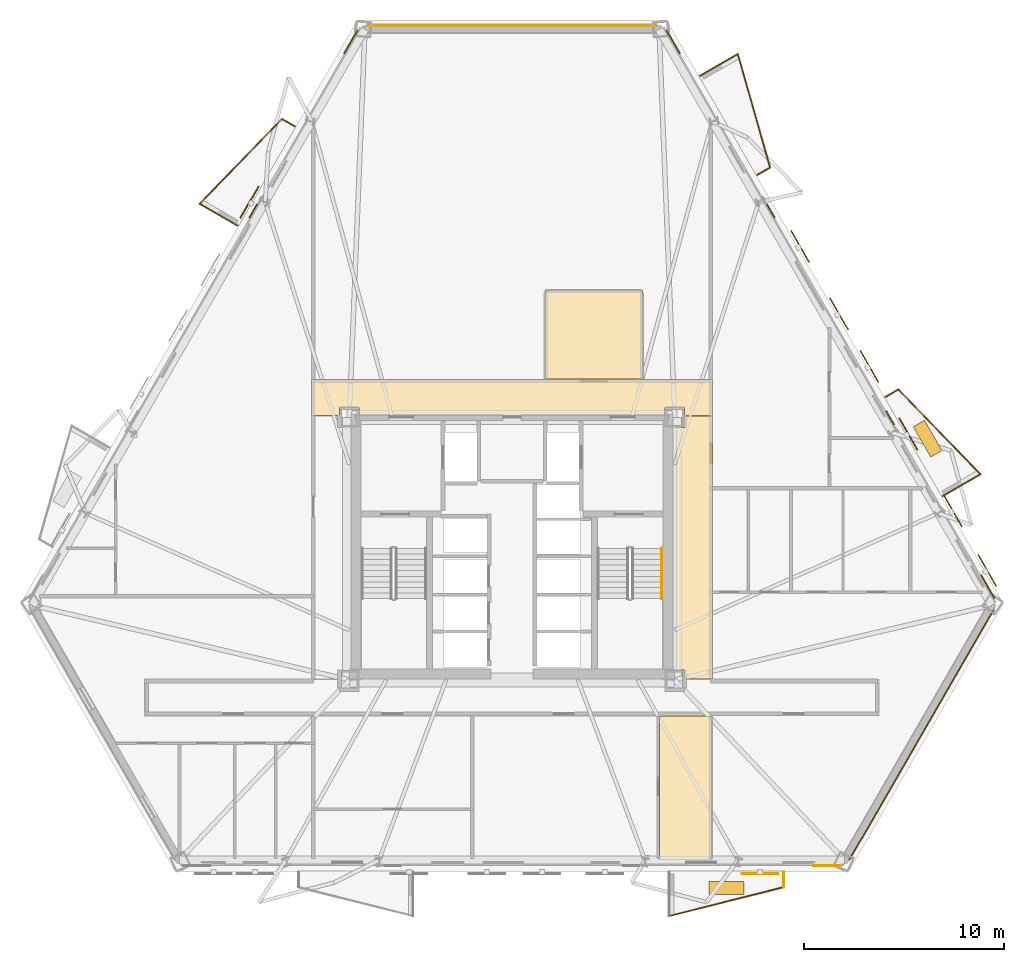
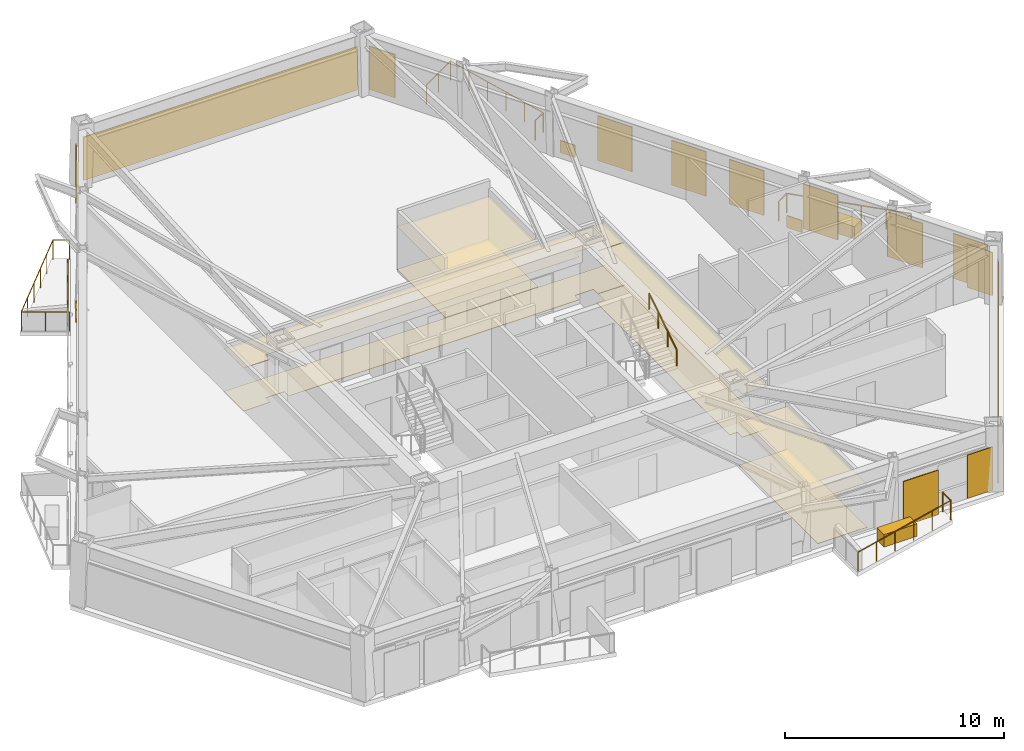
# One storey, part 12 of 12: 19 coverings, 12 railings, 8 shading devices.
"""IFC4 building model written with IfcOpenShell, lengths in metres."""

from ifc_helpers import new_model, si_unit, direction, frame, origin, origin_2d, place, context, subcontext, project, spatial, polyline, rectangle, circle, outline, extrude, material, layer, layer_set, type_object, element, save


model = new_model("IFC4")

# Units and contexts
model_context = context("Model", 3, precision=1e-05, world=origin(), true_north=direction((0.0, 1.0)))
body_context = subcontext(model_context, "Body", "Model", "MODEL_VIEW")
ifc_project = project(units=[si_unit("LENGTHUNIT", "METRE"), si_unit("AREAUNIT", "SQUARE_METRE"), si_unit("VOLUMEUNIT", "CUBIC_METRE"), si_unit("PLANEANGLEUNIT", "RADIAN"), si_unit("MASSUNIT", "GRAM", prefix="KILO")], contexts=[model_context])

# Site, building, storey
site_placement = place(None, origin())
site = spatial("IfcSite", under=ifc_project, at=site_placement, CompositionType="ELEMENT")
building_placement = place(site_placement, origin())
building = spatial("IfcBuilding", under=site, at=building_placement, Name="Oramaril Tower", CompositionType="ELEMENT")
storey_placement = place(building_placement, frame((0.0, 0.0, 45.300048828125)))
storey = spatial("IfcBuildingStorey", under=building, at=storey_placement, Name="L11", CompositionType="ELEMENT", Elevation=45.300048828125)

# Coverings
ifc_material_1 = material(Name="Mineral Fibre Acoustic Ceiling")
ifc_layer_1 = layer(ifc_material_1, 0.02001953125)
ifc_layer_set_1 = layer_set([ifc_layer_1], Name="CVT-CEIL")
covering_type_1 = type_object("IfcCoveringType", Name="CVT-CEIL", PredefinedType="CEILING", material=ifc_layer_set_1)
covering_1_placement = place(storey_placement, frame((0.0, 0.0, 2.39990234375)))
element("IfcCovering", 1, at=covering_1_placement, inside=storey, type_object=covering_type_1, Name="L11 Acoustic Suspended Ceiling 2", PredefinedType="CEILING", context=body_context, shape_type="SweptSolid", body=[
    extrude(outline(polyline([(47.530029296875, 24.239990234375), (46.14501953125, 24.239990234375), (46.14501953125, 24.64501953125), (45.155029296875, 24.64501953125), (45.155029296875, 24.25), (29.844970703125, 24.25), (29.844970703125, 24.64501953125), (28.85498046875, 24.64501953125), (28.85498046875, 24.239990234375), (27.469970703125, 24.239990234375), (27.469970703125, 26.050048828125), (47.530029296875, 26.050048828125), (47.530029296875, 24.239990234375)])), origin(), (0.0, 0.0, 1.0), 0.02001953125),
])
covering_2_placement = place(storey_placement, frame((0.0, 0.0, 2.39990234375)))
element("IfcCovering", 2, at=covering_2_placement, inside=storey, type_object=covering_type_1, Name="L11 Acoustic Suspended Ceiling 4", PredefinedType="CEILING", context=body_context, shape_type="SweptSolid", body=[
    extrude(outline(polyline([(47.530029296875, 11.050048828125), (46.14501953125, 11.050048828125), (46.14501953125, 11.4951171875), (45.719970703125, 11.4951171875), (45.719970703125, 23.655029296875), (46.14501953125, 23.655029296875), (46.14501953125, 24.219970703125), (47.530029296875, 24.219970703125), (47.530029296875, 11.050048828125)])), origin(), (0.0, 0.0, 1.0), 0.02001953125),
])
covering_3_placement = place(storey_placement, frame((0.0, 0.0, 2.39990234375)))
element("IfcCovering", 3, at=covering_3_placement, inside=storey, type_object=covering_type_1, Name="L11 Acoustic Suspended Ceiling 5", PredefinedType="CEILING", context=body_context, shape_type="SweptSolid", body=[
    extrude(outline(polyline([(44.0419921875, 30.511962890625), (44.0419921875, 26.070068359375), (39.157958984375, 26.070068359375), (39.157958984375, 30.511962890625), (44.0419921875, 30.511962890625)])), origin(), (0.0, 0.0, 1.0), 0.02001953125),
])
covering_4_placement = place(storey_placement, frame((0.0, 0.0, 2.39990234375)))
element("IfcCovering", 4, at=covering_4_placement, inside=storey, type_object=covering_type_1, Name="L11 Acoustic Suspended Ceiling 9", PredefinedType="CEILING", context=body_context, shape_type="SweptSolid", body=[
    extrude(outline(polyline([(47.491943359375, 1.98583984375), (44.883056640625, 1.98583984375), (44.883056640625, 9.199951171875), (47.491943359375, 9.199951171875), (47.491943359375, 1.98583984375)])), origin(), (0.0, 0.0, 1.0), 0.02001953125),
])
ifc_material_2 = material(Name="Warm Cream Limestone", Category="masonry")
ifc_layer_2 = layer(ifc_material_2, 0.050048828125)
ifc_layer_set_2 = layer_set([ifc_layer_2], Name="CVT-CLD")
covering_type_2 = type_object("IfcCoveringType", Name="CVT-CLD", PredefinedType="CLADDING", material=ifc_layer_set_2)
covering_5_placement = place(storey_placement, frame((53.257080078125, 1.684814453125, 0.0400390625), z_axis=(0.0, 0.0, 1.0), x_axis=(1.0, 0.0, 0.0)))
element("IfcCovering", 5, at=covering_5_placement, inside=storey, type_object=covering_type_2, Name="L11 Warm Cream Limestone Cladding", PredefinedType="CLADDING", context=body_context, shape_type="SweptSolid", body=[
    extrude(rectangle(XDim=1.35009765625, YDim=0.050048828125, at=origin_2d()), origin(), (0.0, 0.0, 1.0), 2.4140625),
])
covering_6_placement = place(storey_placement, frame((58.012939453125, 8.2568359375, 0.0400390625), z_axis=(0.0, 0.0, 1.0), x_axis=(0.499995465495, 0.866028021766, 0.0)))
element("IfcCovering", 6, at=covering_6_placement, inside=storey, type_object=covering_type_2, Name="L11 Warm Cream Limestone Cladding", PredefinedType="CLADDING", context=body_context, shape_type="SweptSolid", body=[
    extrude(rectangle(XDim=14.45458984375, YDim=0.050048828125, at=origin_2d()), origin(), (0.0, 0.0, 1.0), 2.4140625),
])
for number, where, z_axis, x_axis, name in (
    (7, (61.326416015625, 15.66162109375, 0.0400390625), (0.0, 0.0, 1.0), (-0.500001511499, 0.866024531118, 0.0), "L11 Warm Cream Limestone Cladding"),
    (8, (45.5693359375, 42.95361328125, 0.0400390625), (0.0, 0.0, 1.0), (-0.500001511499, 0.866024531118, 0.0), "L11 Warm Cream Limestone Cladding"),
):
    element("IfcCovering", number, at=place(storey_placement, frame(where, z_axis=z_axis, x_axis=x_axis)), inside=storey, type_object=covering_type_2, Name=name, PredefinedType="CLADDING", context=body_context, shape_type="SweptSolid", body=[
        extrude(rectangle(XDim=1.35009765625, YDim=0.050048828125, at=origin_2d()), origin(), (0.0, 0.0, 1.0), 2.4140625),
    ])
for number, where, z_axis, x_axis, name in (
    (9, (56.437255859375, 24.1298828125, 0.0400390625), (0.0, 0.0, 1.0), (-0.500001511499, 0.866024531118, 0.0), "L11 Warm Cream Limestone Spandrel Cladding"),
    (10, (50.458740234375, 34.485107421875, 0.0400390625), (0.0, 0.0, 1.0), (-0.500001511499, 0.866024531118, 0.0), "L11 Warm Cream Limestone Spandrel Cladding"),
):
    element("IfcCovering", number, at=place(storey_placement, frame(where, z_axis=z_axis, x_axis=x_axis)), inside=storey, type_object=covering_type_2, Name=name, PredefinedType="CLADDING", context=body_context, shape_type="SweptSolid", body=[
        extrude(rectangle(XDim=0.800048828125, YDim=0.050048828125, at=origin_2d()), origin(), (0.0, 0.0, 1.0), 0.679931640625),
    ])
covering_7_placement = place(storey_placement, frame((37.5, 43.7861328125, 0.0400390625), z_axis=(0.0, 0.0, 1.0), x_axis=(-1.0, 0.0, 0.0)))
element("IfcCovering", 11, at=covering_7_placement, inside=storey, type_object=covering_type_2, Name="L11 Warm Cream Limestone Cladding", PredefinedType="CLADDING", context=body_context, shape_type="SweptSolid", body=[
    extrude(rectangle(XDim=14.45458984375, YDim=0.050048828125, at=origin_2d()), origin(), (0.0, 0.0, 1.0), 2.4140625),
])
covering_8_placement = place(storey_placement, frame((29.4306640625, 42.95361328125, 0.0400390625), z_axis=(0.0, 0.0, 1.0), x_axis=(-0.500001511499, -0.866024531118, 0.0)))
element("IfcCovering", 12, at=covering_8_placement, inside=storey, type_object=covering_type_2, Name="L11 Warm Cream Limestone Cladding", PredefinedType="CLADDING", context=body_context, shape_type="SweptSolid", body=[
    extrude(rectangle(XDim=1.35009765625, YDim=0.050048828125, at=origin_2d()), origin(), (0.0, 0.0, 1.0), 2.4140625),
])
covering_9_placement = place(storey_placement, frame((24.541259765625, 34.485107421875, 0.0400390625), z_axis=(0.0, 0.0, 1.0), x_axis=(-0.500001511499, -0.866024531118, 0.0)))
element("IfcCovering", 13, at=covering_9_placement, inside=storey, type_object=covering_type_2, Name="L11 Warm Cream Limestone Spandrel Cladding", PredefinedType="CLADDING", context=body_context, shape_type="SweptSolid", body=[
    extrude(rectangle(XDim=0.800048828125, YDim=0.050048828125, at=origin_2d()), origin(), (0.0, 0.0, 1.0), 0.679931640625),
])
for number, where, z_axis, x_axis, name in (
    (14, (48.247802734375, 0.581298828125, 0.0), (0.0, 0.0, 1.0), (1.0, 0.0, 0.0), "L11 Structural Tree Planter Box L11-BAL-S2"),
    (15, (58.315185546875, 23.084716796875, 0.0), (0.0, 0.0, 1.0), (-0.500001511499, 0.866024531118, 0.0), "L11 Structural Tree Planter Box L11-BAL-NE1"),
):
    element("IfcCovering", number, at=place(storey_placement, frame(where, z_axis=z_axis, x_axis=x_axis)), inside=storey, type_object=covering_type_2, Name=name, PredefinedType="CLADDING", context=body_context, shape_type="SweptSolid", body=[
        extrude(rectangle(XDim=1.75, YDim=0.64990234375, at=origin_2d()), origin(), (0.0, 0.0, 1.0), 0.699951171875),
    ])
ifc_material_3 = material(Name="Honed Quartzite Stone Flooring", Category="masonry")
ifc_layer_3 = layer(ifc_material_3, 0.02490234375)
ifc_layer_set_3 = layer_set([ifc_layer_3], Name="CVT-FLR")
covering_type_3 = type_object("IfcCoveringType", Name="CVT-FLR", PredefinedType="FLOORING", material=ifc_layer_set_3)
covering_10_placement = place(storey_placement, origin())
element("IfcCovering", 16, at=covering_10_placement, inside=storey, type_object=covering_type_3, Name="L11 Honed Stone Floor Finish 2", PredefinedType="FLOORING", context=body_context, shape_type="SweptSolid", body=[
    extrude(outline(polyline([(47.530029296875, 24.239990234375), (46.14501953125, 24.239990234375), (46.14501953125, 24.64501953125), (45.155029296875, 24.64501953125), (45.155029296875, 24.25), (29.844970703125, 24.25), (29.844970703125, 24.64501953125), (28.85498046875, 24.64501953125), (28.85498046875, 24.239990234375), (27.469970703125, 24.239990234375), (27.469970703125, 26.050048828125), (47.530029296875, 26.050048828125), (47.530029296875, 24.239990234375)])), origin(), (0.0, 0.0, 1.0), 0.02490234375),
])
covering_11_placement = place(storey_placement, origin())
element("IfcCovering", 17, at=covering_11_placement, inside=storey, type_object=covering_type_3, Name="L11 Honed Stone Floor Finish 4", PredefinedType="FLOORING", context=body_context, shape_type="SweptSolid", body=[
    extrude(outline(polyline([(47.530029296875, 11.050048828125), (46.14501953125, 11.050048828125), (46.14501953125, 11.4951171875), (45.719970703125, 11.4951171875), (45.719970703125, 23.655029296875), (46.14501953125, 23.655029296875), (46.14501953125, 24.219970703125), (47.530029296875, 24.219970703125), (47.530029296875, 11.050048828125)])), origin(), (0.0, 0.0, 1.0), 0.02490234375),
])
covering_12_placement = place(storey_placement, origin())
element("IfcCovering", 18, at=covering_12_placement, inside=storey, type_object=covering_type_3, Name="L11 Honed Stone Floor Finish 5", PredefinedType="FLOORING", context=body_context, shape_type="SweptSolid", body=[
    extrude(outline(polyline([(44.0419921875, 30.511962890625), (44.0419921875, 26.070068359375), (39.157958984375, 26.070068359375), (39.157958984375, 30.511962890625), (44.0419921875, 30.511962890625)])), origin(), (0.0, 0.0, 1.0), 0.02490234375),
])
covering_13_placement = place(storey_placement, origin())
element("IfcCovering", 19, at=covering_13_placement, inside=storey, type_object=covering_type_3, Name="L11 Honed Stone Floor Finish 9", PredefinedType="FLOORING", context=body_context, shape_type="SweptSolid", body=[
    extrude(outline(polyline([(47.491943359375, 1.98583984375), (44.883056640625, 1.98583984375), (44.883056640625, 9.199951171875), (47.491943359375, 9.199951171875), (47.491943359375, 1.98583984375)])), origin(), (0.0, 0.0, 1.0), 0.02490234375),
])

# Railings
ifc_material_4 = material(Name="Stainless Steel 316L", Category="steel")
railing_type_1 = type_object("IfcRailingType", Name="RLT-GRD", PredefinedType="GUARDRAIL", material=ifc_material_4)
railing_1_placement = place(storey_placement, frame((51.11279296875, 1.369873046875, 0.0)))
element("IfcRailing", 20, at=railing_1_placement, inside=storey, type_object=railing_type_1, Name="L11 Balcony Guardrail L11-BAL-S2.1", PredefinedType="GUARDRAIL", context=body_context, shape_type="SweptSolid", body=[
    extrude(circle(Radius=0.02392578125, at=origin_2d()), frame((0.0, 0.0, 1.076171875), z_axis=(0.0, -1.0, 0.0), x_axis=(1.0, 0.0, 0.0)), (0.0, 0.0, 1.0), 0.7421875),
    extrude(circle(Radius=0.02099609375, at=origin_2d()), origin(), (0.0, 0.0, 1.0), 1.052001953125),
    extrude(circle(Radius=0.02099609375, at=origin_2d()), frame((0.0, -0.7421875, 0.0)), (0.0, 0.0, 1.0), 1.052001953125),
])
railing_2_placement = place(storey_placement, frame((51.11279296875, 0.627685546875, 0.0)))
element("IfcRailing", 21, at=railing_2_placement, inside=storey, type_object=railing_type_1, Name="L11 Balcony Guardrail L11-BAL-S2.2", PredefinedType="GUARDRAIL", context=body_context, shape_type="SweptSolid", body=[
    extrude(circle(Radius=0.02392578125, at=origin_2d()), frame((0.0, 0.0, 1.076171875), z_axis=(-0.969443611257, -0.245314256807, 0.0), x_axis=(0.245314256807, -0.969443611257, 0.0)), (0.0, 0.0, 1.0), 5.91064453125),
    extrude(circle(Radius=0.02099609375, at=origin_2d()), origin(), (0.0, 0.0, 1.0), 1.052001953125),
    extrude(circle(Radius=0.02099609375, at=origin_2d()), frame((-1.14599609375, -0.2900390625, 0.0)), (0.0, 0.0, 1.0), 1.052001953125),
    extrude(circle(Radius=0.02099609375, at=origin_2d()), frame((-2.2919921875, -0.580078125, 0.0)), (0.0, 0.0, 1.0), 1.052001953125),
    extrude(circle(Radius=0.02099609375, at=origin_2d()), frame((-3.43798828125, -0.869873046875, 0.0)), (0.0, 0.0, 1.0), 1.052001953125),
    extrude(circle(Radius=0.02099609375, at=origin_2d()), frame((-4.583984375, -1.159912109375, 0.0)), (0.0, 0.0, 1.0), 1.052001953125),
    extrude(circle(Radius=0.02099609375, at=origin_2d()), frame((-5.72998046875, -1.449951171875, 0.0)), (0.0, 0.0, 1.0), 1.052001953125),
])
railing_3_placement = place(storey_placement, frame((56.19970703125, 25.171630859375, 0.0)))
element("IfcRailing", 22, at=railing_3_placement, inside=storey, type_object=railing_type_1, Name="L11 Balcony Guardrail L11-BAL-NE1.1", PredefinedType="GUARDRAIL", context=body_context, shape_type="SweptSolid", body=[
    extrude(circle(Radius=0.02392578125, at=origin_2d()), frame((0.0, 0.0, 1.076171875), z_axis=(0.866108878364, 0.499855389907, 0.0), x_axis=(-0.499855389907, 0.866108878364, 0.0)), (0.0, 0.0, 1.0), 0.741943359375),
    extrude(circle(Radius=0.02099609375, at=origin_2d()), origin(), (0.0, 0.0, 1.0), 1.052001953125),
    extrude(circle(Radius=0.02099609375, at=origin_2d()), frame((0.642578125, 0.370849609375, 0.0)), (0.0, 0.0, 1.0), 1.052001953125),
])
railing_4_placement = place(storey_placement, frame((56.84228515625, 25.54248046875, 0.0)))
element("IfcRailing", 23, at=railing_4_placement, inside=storey, type_object=railing_type_1, Name="L11 Balcony Guardrail L11-BAL-NE1.2", PredefinedType="GUARDRAIL", context=body_context, shape_type="SweptSolid", body=[
    extrude(circle(Radius=0.02392578125, at=origin_2d()), frame((0.0, 0.0, 1.076171875), z_axis=(0.697186331907, -0.716889962688, 0.0), x_axis=(0.716889962688, 0.697186331907, 0.0)), (0.0, 0.0, 1.0), 5.910400390625),
    extrude(circle(Radius=0.02099609375, at=origin_2d()), origin(), (0.0, 0.0, 1.0), 1.052001953125),
    extrude(circle(Radius=0.02099609375, at=origin_2d()), frame((0.82421875, -0.847412109375, 0.0)), (0.0, 0.0, 1.0), 1.052001953125),
    extrude(circle(Radius=0.02099609375, at=origin_2d()), frame((1.648193359375, -1.69482421875, 0.0)), (0.0, 0.0, 1.0), 1.052001953125),
    extrude(circle(Radius=0.02099609375, at=origin_2d()), frame((2.472412109375, -2.542236328125, 0.0)), (0.0, 0.0, 1.0), 1.052001953125),
    extrude(circle(Radius=0.02099609375, at=origin_2d()), frame((3.29638671875, -3.3896484375, 0.0)), (0.0, 0.0, 1.0), 1.052001953125),
    extrude(circle(Radius=0.02099609375, at=origin_2d()), frame((4.12060546875, -4.237060546875, 0.0)), (0.0, 0.0, 1.0), 1.052001953125),
])
railing_5_placement = place(storey_placement, frame((60.962890625, 21.305419921875, 0.0)))
element("IfcRailing", 24, at=railing_5_placement, inside=storey, type_object=railing_type_1, Name="L11 Balcony Guardrail L11-BAL-NE1.3", PredefinedType="GUARDRAIL", context=body_context, shape_type="SweptSolid", body=[
    extrude(circle(Radius=0.02392578125, at=origin_2d()), frame((0.0, 0.0, 1.076171875), z_axis=(-0.866020500697, -0.5000084923, 0.0), x_axis=(0.5000084923, -0.866020500697, 0.0)), (0.0, 0.0, 1.0), 2.19189453125),
    extrude(circle(Radius=0.02099609375, at=origin_2d()), origin(), (0.0, 0.0, 1.0), 1.052001953125),
    extrude(circle(Radius=0.02099609375, at=origin_2d()), frame((-0.94921875, -0.5478515625, 0.0)), (0.0, 0.0, 1.0), 1.052001953125),
    extrude(circle(Radius=0.02099609375, at=origin_2d()), frame((-1.898193359375, -1.095947265625, 0.0)), (0.0, 0.0, 1.0), 1.052001953125),
])
railing_6_placement = place(storey_placement, frame((46.91455078125, 41.25390625, 0.0)))
element("IfcRailing", 25, at=railing_6_placement, inside=storey, type_object=railing_type_1, Name="L11 Balcony Guardrail L11-BAL-NE2.1", PredefinedType="GUARDRAIL", context=body_context, shape_type="SweptSolid", body=[
    extrude(circle(Radius=0.02392578125, at=origin_2d()), frame((0.0, 0.0, 1.076171875), z_axis=(0.866020500697, 0.5000084923, 0.0), x_axis=(-0.5000084923, 0.866020500697, 0.0)), (0.0, 0.0, 1.0), 2.19189453125),
    extrude(circle(Radius=0.02099609375, at=origin_2d()), origin(), (0.0, 0.0, 1.0), 1.052001953125),
    extrude(circle(Radius=0.02099609375, at=origin_2d()), frame((0.94921875, 0.5478515625, 0.0)), (0.0, 0.0, 1.0), 1.052001953125),
    extrude(circle(Radius=0.02099609375, at=origin_2d()), frame((1.898193359375, 1.095947265625, 0.0)), (0.0, 0.0, 1.0), 1.052001953125),
])
railing_7_placement = place(storey_placement, frame((48.812744140625, 42.349853515625, 0.0)))
element("IfcRailing", 26, at=railing_7_placement, inside=storey, type_object=railing_type_1, Name="L11 Balcony Guardrail L11-BAL-NE2.2", PredefinedType="GUARDRAIL", context=body_context, shape_type="SweptSolid", body=[
    extrude(circle(Radius=0.02392578125, at=origin_2d()), frame((0.0, 0.0, 1.076171875), z_axis=(0.272287109361, -0.962216051662, 0.0), x_axis=(0.962216051662, 0.272287109361, 0.0)), (0.0, 0.0, 1.0), 5.91064453125),
    extrude(circle(Radius=0.02099609375, at=origin_2d()), origin(), (0.0, 0.0, 1.0), 1.052001953125),
    extrude(circle(Radius=0.02099609375, at=origin_2d()), frame((0.32177734375, -1.137451171875, 0.0)), (0.0, 0.0, 1.0), 1.052001953125),
    extrude(circle(Radius=0.02099609375, at=origin_2d()), frame((0.643798828125, -2.27490234375, 0.0)), (0.0, 0.0, 1.0), 1.052001953125),
    extrude(circle(Radius=0.02099609375, at=origin_2d()), frame((0.965576171875, -3.412353515625, 0.0)), (0.0, 0.0, 1.0), 1.052001953125),
    extrude(circle(Radius=0.02099609375, at=origin_2d()), frame((1.28759765625, -4.5498046875, 0.0)), (0.0, 0.0, 1.0), 1.052001953125),
    extrude(circle(Radius=0.02099609375, at=origin_2d()), frame((1.609375, -5.687255859375, 0.0)), (0.0, 0.0, 1.0), 1.052001953125),
])
railing_8_placement = place(storey_placement, frame((50.422119140625, 36.66259765625, 0.0)))
element("IfcRailing", 27, at=railing_8_placement, inside=storey, type_object=railing_type_1, Name="L11 Balcony Guardrail L11-BAL-NE2.3", PredefinedType="GUARDRAIL", context=body_context, shape_type="SweptSolid", body=[
    extrude(circle(Radius=0.02392578125, at=origin_2d()), frame((0.0, 0.0, 1.076171875), z_axis=(-0.866108878364, -0.499855389907, 0.0), x_axis=(0.499855389907, -0.866108878364, 0.0)), (0.0, 0.0, 1.0), 0.741943359375),
    extrude(circle(Radius=0.02099609375, at=origin_2d()), origin(), (0.0, 0.0, 1.0), 1.052001953125),
    extrude(circle(Radius=0.02099609375, at=origin_2d()), frame((-0.642578125, -0.370849609375, 0.0)), (0.0, 0.0, 1.0), 1.052001953125),
])
railing_9_placement = place(storey_placement, frame((23.758056640625, 33.758544921875, 0.0)))
element("IfcRailing", 28, at=railing_9_placement, inside=storey, type_object=railing_type_1, Name="L11 Balcony Guardrail L11-BAL-NW1.1", PredefinedType="GUARDRAIL", context=body_context, shape_type="SweptSolid", body=[
    extrude(circle(Radius=0.02392578125, at=origin_2d()), frame((0.0, 0.0, 1.076171875), z_axis=(-0.866048343933, 0.499960264392, 0.0), x_axis=(-0.499960264392, -0.866048343933, 0.0)), (0.0, 0.0, 1.0), 2.192138671875),
    extrude(circle(Radius=0.02099609375, at=origin_2d()), origin(), (0.0, 0.0, 1.0), 1.052001953125),
    extrude(circle(Radius=0.02099609375, at=origin_2d()), frame((-0.94921875, 0.5478515625, 0.0)), (0.0, 0.0, 1.0), 1.052001953125),
    extrude(circle(Radius=0.02099609375, at=origin_2d()), frame((-1.8984375, 1.095947265625, 0.0)), (0.0, 0.0, 1.0), 1.052001953125),
])
railing_10_placement = place(storey_placement, frame((21.859619140625, 34.8544921875, 0.0)))
element("IfcRailing", 29, at=railing_10_placement, inside=storey, type_object=railing_type_1, Name="L11 Balcony Guardrail L11-BAL-NW1.2", PredefinedType="GUARDRAIL", context=body_context, shape_type="SweptSolid", body=[
    extrude(circle(Radius=0.02392578125, at=origin_2d()), frame((0.0, 0.0, 1.076171875), z_axis=(0.697186915353, 0.716889395277, 0.0), x_axis=(-0.716889395277, 0.697186915353, 0.0)), (0.0, 0.0, 1.0), 5.91064453125),
    extrude(circle(Radius=0.02099609375, at=origin_2d()), origin(), (0.0, 0.0, 1.0), 1.052001953125),
    extrude(circle(Radius=0.02099609375, at=origin_2d()), frame((0.82421875, 0.847412109375, 0.0)), (0.0, 0.0, 1.0), 1.052001953125),
    extrude(circle(Radius=0.02099609375, at=origin_2d()), frame((1.6484375, 1.69482421875, 0.0)), (0.0, 0.0, 1.0), 1.052001953125),
    extrude(circle(Radius=0.02099609375, at=origin_2d()), frame((2.472412109375, 2.54248046875, 0.0)), (0.0, 0.0, 1.0), 1.052001953125),
    extrude(circle(Radius=0.02099609375, at=origin_2d()), frame((3.296630859375, 3.389892578125, 0.0)), (0.0, 0.0, 1.0), 1.052001953125),
    extrude(circle(Radius=0.02099609375, at=origin_2d()), frame((4.120849609375, 4.2373046875, 0.0)), (0.0, 0.0, 1.0), 1.052001953125),
])
railing_11_placement = place(storey_placement, frame((25.98046875, 39.091796875, 0.0)))
element("IfcRailing", 30, at=railing_11_placement, inside=storey, type_object=railing_type_1, Name="L11 Balcony Guardrail L11-BAL-NW1.3", PredefinedType="GUARDRAIL", context=body_context, shape_type="SweptSolid", body=[
    extrude(circle(Radius=0.02392578125, at=origin_2d()), frame((0.0, 0.0, 1.076171875), z_axis=(0.865966403178, -0.500102178127, 0.0), x_axis=(0.500102178127, 0.865966403178, 0.0)), (0.0, 0.0, 1.0), 0.741943359375),
    extrude(circle(Radius=0.02099609375, at=origin_2d()), origin(), (0.0, 0.0, 1.0), 1.052001953125),
    extrude(circle(Radius=0.02099609375, at=origin_2d()), frame((0.642578125, -0.37109375, 0.0)), (0.0, 0.0, 1.0), 1.052001953125),
])
ifc_material_5 = material(Name="Stainless Steel 316L", Category="steel")
railing_type_2 = type_object("IfcRailingType", Name="RLT-HND", PredefinedType="HANDRAIL", material=ifc_material_5)
railing_12_placement = place(storey_placement, frame((45.0, 15.070068359375, 1.97998046875)))
element("IfcRailing", 31, at=railing_12_placement, inside=storey, type_object=railing_type_2, Name="L11 ST-2 stair handrail 2", PredefinedType="HANDRAIL", context=body_context, shape_type="SweptSolid", body=[
    extrude(circle(Radius=0.02392578125, at=origin_2d()), frame((0.0, 0.0, 0.8759765625), z_axis=(0.0, 0.841199657755, 0.540724639528), x_axis=(-1.0, 0.0, 0.0)), (0.0, 0.0, 1.0), 2.995849609375),
    extrude(circle(Radius=0.02099609375, at=origin_2d()), origin(), (0.0, 0.0, 1.0), 0.851806640625),
    extrude(circle(Radius=0.02099609375, at=origin_2d()), frame((0.0, 0.840087890625, 0.5400390625)), (0.0, 0.0, 1.0), 0.851806640625),
    extrude(circle(Radius=0.02099609375, at=origin_2d()), frame((0.0, 1.679931640625, 1.079833984375)), (0.0, 0.0, 1.0), 0.851806640625),
    extrude(circle(Radius=0.02099609375, at=origin_2d()), frame((0.0, 2.52001953125, 1.619873046875)), (0.0, 0.0, 1.0), 0.851806640625),
])

# Shading devices
for number, where, z_axis, x_axis, name in (
    (32, (49.917236328125, 1.2978515625, -0.02001953125), (0.0, 0.0, 1.0), (1.0, 0.0, 0.0), "L11 Perforated Ceramic Solar Screen"),
    (33, (61.301025390625, 16.4794921875, -0.02001953125), (0.0, 0.0, 1.0), (-0.500001511499, 0.866024531118, 0.0), "L11 Perforated Ceramic Solar Screen"),
    (34, (59.58056640625, 19.459716796875, -0.02001953125), (0.0, 0.0, 1.0), (-0.500001511499, 0.866024531118, 0.0), "L11 Perforated Ceramic Solar Screen"),
    (35, (53.879150390625, 29.334716796875, -0.02001953125), (0.0, 0.0, 1.0), (-0.500001511499, 0.866024531118, 0.0), "L11 Perforated Ceramic Solar Screen"),
    (36, (51.92919921875, 32.712158203125, -0.02001953125), (0.0, 0.0, 1.0), (-0.500001511499, 0.866024531118, 0.0), "L11 Perforated Ceramic Solar Screen"),
    (37, (57.35009765625, 23.322998046875, -0.02001953125), (0.0, 0.0, 1.0), (-0.500001511499, 0.866024531118, 0.0), "L11 Perforated Ceramic Solar Screen"),
    (38, (55.400146484375, 26.700439453125, -0.02001953125), (0.0, 0.0, 1.0), (-0.500001511499, 0.866024531118, 0.0), "L11 Perforated Ceramic Solar Screen"),
    (39, (24.349609375, 34.927001953125, -0.02001953125), (0.0, 0.0, 1.0), (-0.500001511499, -0.866024531118, 0.0), "L11 Perforated Ceramic Solar Screen"),
):
    element("IfcShadingDevice", number, at=place(storey_placement, frame(where, z_axis=z_axis, x_axis=x_axis)), inside=storey, Name=name, ObjectType="SCREEN", PredefinedType="USERDEFINED", context=body_context, shape_type="SweptSolid", body=[
        extrude(rectangle(XDim=1.8330078125, YDim=0.050048828125, at=origin_2d()), origin(), (0.0, 0.0, 1.0), 2.493896484375),
    ])

save(model, "model.ifc")
